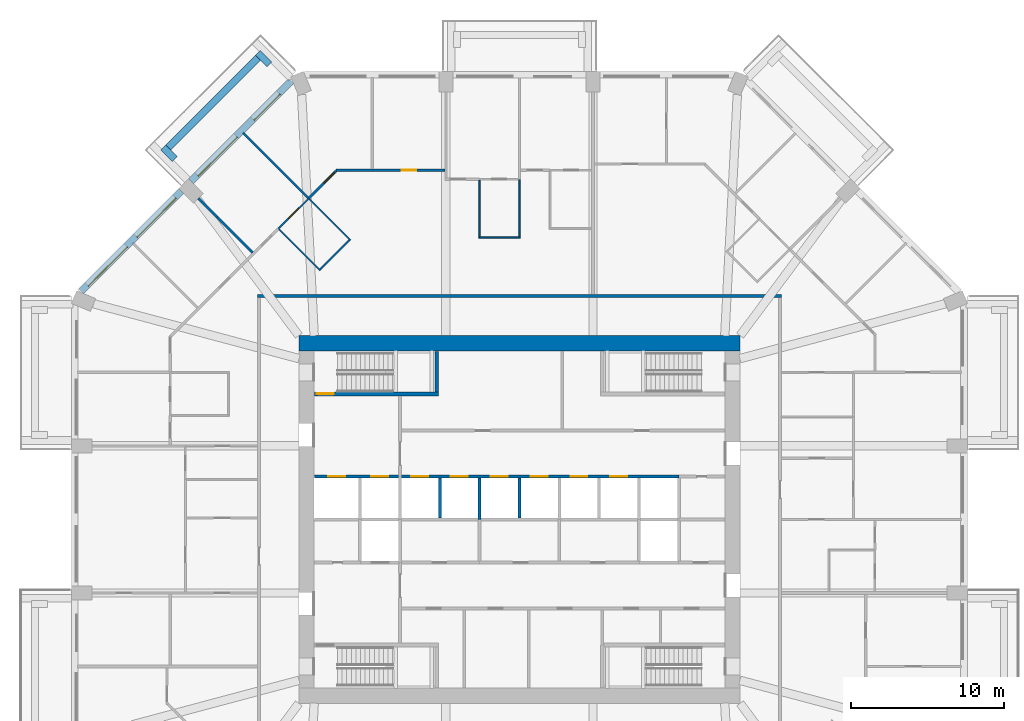
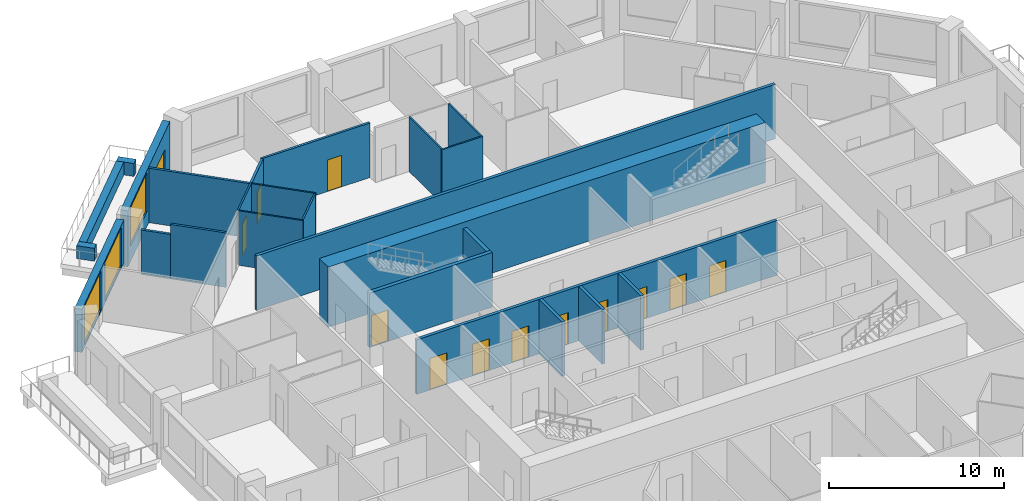
# One storey, part 8 of 13: 25 walls, 13 doors, 3 windows, 16 openings.
"""IFC4 building model written with IfcOpenShell, lengths in metres."""

from ifc_helpers import new_model, si_unit, direction, frame, frame_2d, origin, place, context, subcontext, project, spatial, rectangle, extrude, material, layer, layer_set, type_object, element, fill, save


model = new_model("IFC4")

# Units and contexts
model_context = context("Model", 3, precision=1e-05, world=origin(), true_north=direction((0.0, 1.0)))
body_context = subcontext(model_context, "Body", "Model", "MODEL_VIEW")
ifc_project = project(units=[si_unit("LENGTHUNIT", "METRE"), si_unit("AREAUNIT", "SQUARE_METRE"), si_unit("VOLUMEUNIT", "CUBIC_METRE"), si_unit("PLANEANGLEUNIT", "RADIAN"), si_unit("MASSUNIT", "GRAM", prefix="KILO")], contexts=[model_context])

# Site, building, storey
site_placement = place(None, origin())
site = spatial("IfcSite", under=ifc_project, at=site_placement, CompositionType="ELEMENT")
building_placement = place(site_placement, origin())
building = spatial("IfcBuilding", under=site, at=building_placement, Name="Msitu Wima Residences", CompositionType="ELEMENT")
storey_placement = place(building_placement, frame((0.0, 0.0, 92.699951171875)))
storey = spatial("IfcBuildingStorey", under=building, at=storey_placement, Name="L21", CompositionType="ELEMENT", Elevation=92.699951171875)

# Walls
ifc_material_1 = material(Name="Facing brick")
ifc_layer_1 = layer(ifc_material_1, 0.06494140625, Name="Facing brick")
ifc_material_2 = material(Name="Concrete C40/50", Category="concrete")
ifc_layer_2 = layer(ifc_material_2, 0.156005859375, Name="Concrete C40/50")
ifc_material_3 = material(Name="Waterproofing membrane")
ifc_layer_3 = layer(ifc_material_3, 0.00390625, Name="Waterproofing membrane")
ifc_material_4 = material(Name="Planting soil and planting")
ifc_layer_4 = layer(ifc_material_4, 0.22509765625, Name="Planting soil and planting")
ifc_layer_set_1 = layer_set([ifc_layer_1, ifc_layer_2, ifc_layer_3, ifc_layer_4], Name="Concrete C40/50")
wall_type_1 = type_object("IfcWallType", Name="Balcony planter PLANTER PL450", PredefinedType="USERDEFINED", material=ifc_layer_set_1)
wall_1_placement = place(storey_placement, frame((-17.0693359375, 30.125732421875, 0.0), z_axis=(0.0, 0.0, 1.0), x_axis=(-0.707106781187, -0.707106781187, 0.0)))
element("IfcWall", 1, at=wall_1_placement, inside=storey, type_object=wall_type_1, Name="Balcony planter NW0 L21", ObjectType="PLANTER", PredefinedType="USERDEFINED", context=body_context, shape_type="SweptSolid", body=[
    extrude(rectangle(XDim=8.2822265625, YDim=0.449951171875, at=frame_2d((4.14111328125, 0.0))), origin(), (0.0, 0.0, 1.0), 0.900146484375),
])
for number, where, z_axis, x_axis, name in (
    (2, (-16.326904296875, 29.70166015625, 0.0), (0.0, 0.0, 1.0), (-0.707106781187, 0.707106781187, 0.0), "Balcony planter NW0 L21"),
    (3, (-22.50146484375, 23.52685546875, 0.0), (0.0, 0.0, 1.0), (-0.707223014731, 0.706990528533, 0.0), "Balcony planter NW0 L21"),
):
    element("IfcWall", number, at=place(storey_placement, frame(where, z_axis=z_axis, x_axis=x_axis)), inside=storey, type_object=wall_type_1, Name=name, ObjectType="PLANTER", PredefinedType="USERDEFINED", context=body_context, shape_type="SweptSolid", body=[
        extrude(rectangle(XDim=1.050048828125, YDim=0.449951171875, at=frame_2d((0.52490234375, 0.0))), origin(), (0.0, 0.0, 1.0), 0.900146484375),
    ])

# Wall, openings, door, window
ifc_material_5 = material(Name="Brick (red buff mix)", Category="masonry")
ifc_layer_5 = layer(ifc_material_5, 0.449951171875)
ifc_layer_set_2 = layer_set([ifc_layer_5], Name="Brick (red buff mix)")
wall_type_2 = type_object("IfcWallType", Name="Brick infill wall BW450", PredefinedType="SOLIDWALL", material=ifc_layer_set_2)
wall_2_placement = place(storey_placement, frame((-14.903564453125, 28.61474609375, 0.0), z_axis=(0.0, 0.0, 1.0), x_axis=(-0.707106781187, -0.707106781187, 0.0)))
wall_2 = element("IfcWall", 4, at=wall_2_placement, inside=storey, type_object=wall_type_2, Name="Brick infill wall L21 NW0", PredefinedType="SOLIDWALL", context=body_context, shape_type="SweptSolid", body=[
    extrude(rectangle(XDim=9.2451171875, YDim=0.449951171875, at=frame_2d((4.62255859375, 0.0))), origin(), (0.0, 0.0, 1.0), 3.900146484375),
])
opening_1_placement = place(wall_2_placement, frame((1.111328125, 0.0, 0.0)))
opening_1 = element("IfcOpeningElement", 5, at=opening_1_placement, cuts=wall_2, Name="Opening D21.005", PredefinedType="OPENING", context=body_context, shape_type="SweptSolid", body=[
    extrude(rectangle(XDim=2.39990234375, YDim=2.699951171875, at=frame_2d((1.199951171875, 1.35009765625))), frame((0.0, 0.23486328125, 0.0), z_axis=(0.0, -1.0, 0.0), x_axis=(1.0, 0.0, 0.0)), (0.0, 0.0, 1.0), 0.469970703125),
])
opening_2_placement = place(wall_2_placement, frame((5.072509765625, 0.0, 1.050048828125)))
opening_2 = element("IfcOpeningElement", 6, at=opening_2_placement, cuts=wall_2, Name="Opening W21.013", PredefinedType="OPENING", context=body_context, shape_type="SweptSolid", body=[
    extrude(rectangle(XDim=3.60009765625, YDim=2.699951171875, at=frame_2d((1.800048828125, 1.35009765625))), frame((0.0, 0.23486328125, 0.0), z_axis=(0.0, -1.0, 0.0), x_axis=(1.0, 0.0, 0.0)), (0.0, 0.0, 1.0), 0.469970703125),
])
ifc_material_6 = material(Name="Anodised aluminium, bronze finish, clear low-emissivity double glazing", Category="aluminium")
door_type_1 = type_object("IfcDoorType", Name="Balcony door D2400x2700", OperationType="SLIDING_TO_LEFT", PredefinedType="DOOR", material=ifc_material_6)
door_1_placement = place(opening_1_placement, origin())
door_1 = element("IfcDoor", 7, at=door_1_placement, inside=storey, type_object=door_type_1, Name="Balcony door L21 NW0", OperationType="SINGLE_SWING_LEFT", OverallHeight=2.699951171875, OverallWidth=2.39990234375, PredefinedType="DOOR", context=body_context, shape_type="SweptSolid", body=[
    extrude(rectangle(XDim=2.39990234375, YDim=2.699951171875, at=frame_2d((1.199951171875, 1.35009765625))), frame((0.0, 0.1298828125, 0.0), z_axis=(0.0, -1.0, 0.0), x_axis=(1.0, 0.0, 0.0)), (0.0, 0.0, 1.0), 0.050048828125),
])
fill(opening_1, door_1)
window_type = type_object("IfcWindowType", Name="Window W3600x2700", PartitioningType="DOUBLE_PANEL_VERTICAL", PredefinedType="WINDOW", material=ifc_material_6)
window_1_placement = place(opening_2_placement, origin())
window_1 = element("IfcWindow", 8, at=window_1_placement, inside=storey, type_object=window_type, Name="Window L21 NW0.2", OverallHeight=2.699951171875, OverallWidth=3.60009765625, PartitioningType="SINGLE_PANEL", PredefinedType="WINDOW", context=body_context, shape_type="SweptSolid", body=[
    extrude(rectangle(XDim=3.60009765625, YDim=2.699951171875, at=frame_2d((1.800048828125, 1.35009765625))), frame((0.0, 0.135009765625, 0.0), z_axis=(0.0, -1.0, 0.0), x_axis=(1.0, 0.0, 0.0)), (0.0, 0.0, 1.0), 0.06005859375),
])
fill(opening_2, window_1)

# Wall, openings, windows
wall_3_placement = place(storey_placement, frame((-22.077392578125, 21.44091796875, 0.900146484375), z_axis=(0.0, 0.0, 1.0), x_axis=(-0.707106781187, -0.707106781187, 0.0)))
wall_3 = element("IfcWall", 9, at=wall_3_placement, inside=storey, type_object=wall_type_2, Name="Brick infill wall L21 NW1", PredefinedType="SOLIDWALL", context=body_context, shape_type="SweptSolid", body=[
    extrude(rectangle(XDim=9.2451171875, YDim=0.449951171875, at=frame_2d((4.62255859375, 0.0))), origin(), (0.0, 0.0, 1.0), 3.0),
])
opening_3_placement = place(wall_3_placement, frame((0.572509765625, 0.0, 0.14990234375)))
opening_3 = element("IfcOpeningElement", 10, at=opening_3_placement, cuts=wall_3, Name="Opening W21.014", PredefinedType="OPENING", context=body_context, shape_type="SweptSolid", body=[
    extrude(rectangle(XDim=3.60009765625, YDim=2.699951171875, at=frame_2d((1.800048828125, 1.35009765625))), frame((0.0, 0.23486328125, 0.0), z_axis=(0.0, -1.0, 0.0), x_axis=(1.0, 0.0, 0.0)), (0.0, 0.0, 1.0), 0.469970703125),
])
opening_4_placement = place(wall_3_placement, frame((5.072509765625, 0.0, 0.14990234375)))
opening_4 = element("IfcOpeningElement", 11, at=opening_4_placement, cuts=wall_3, Name="Opening W21.015", PredefinedType="OPENING", context=body_context, shape_type="SweptSolid", body=[
    extrude(rectangle(XDim=3.60009765625, YDim=2.699951171875, at=frame_2d((1.800048828125, 1.35009765625))), frame((0.0, 0.23486328125, 0.0), z_axis=(0.0, -1.0, 0.0), x_axis=(1.0, 0.0, 0.0)), (0.0, 0.0, 1.0), 0.469970703125),
])
window_2_placement = place(opening_3_placement, origin())
window_2 = element("IfcWindow", 12, at=window_2_placement, inside=storey, type_object=window_type, Name="Window L21 NW1.1", OverallHeight=2.699951171875, OverallWidth=3.60009765625, PartitioningType="SINGLE_PANEL", PredefinedType="WINDOW", context=body_context, shape_type="SweptSolid", body=[
    extrude(rectangle(XDim=3.60009765625, YDim=2.699951171875, at=frame_2d((1.800048828125, 1.35009765625))), frame((0.0, 0.135009765625, 0.0), z_axis=(0.0, -1.0, 0.0), x_axis=(1.0, 0.0, 0.0)), (0.0, 0.0, 1.0), 0.06005859375),
])
fill(opening_3, window_2)
window_3_placement = place(opening_4_placement, origin())
window_3 = element("IfcWindow", 13, at=window_3_placement, inside=storey, type_object=window_type, Name="Window L21 NW1.2", OverallHeight=2.699951171875, OverallWidth=3.60009765625, PartitioningType="SINGLE_PANEL", PredefinedType="WINDOW", context=body_context, shape_type="SweptSolid", body=[
    extrude(rectangle(XDim=3.60009765625, YDim=2.699951171875, at=frame_2d((1.800048828125, 1.35009765625))), frame((0.0, 0.135009765625, 0.0), z_axis=(0.0, -1.0, 0.0), x_axis=(1.0, 0.0, 0.0)), (0.0, 0.0, 1.0), 0.06005859375),
])
fill(opening_4, window_3)

# Walls
ifc_material_7 = material(Name="Concrete C80/95", Category="concrete")
ifc_layer_6 = layer(ifc_material_7, 1.0)
ifc_layer_set_3 = layer_set([ifc_layer_6], Name="Concrete C80/95")
wall_type_3 = type_object("IfcWallType", Name="Core wall CW1000 C80/95", PredefinedType="SHEAR", material=ifc_layer_set_3)
wall_4_placement = place(storey_placement, frame((-14.39990234375, 11.5, 0.0), z_axis=(0.0, 0.0, 1.0), x_axis=(1.0, 0.0, 0.0)))
element("IfcWall", 14, at=wall_4_placement, inside=storey, type_object=wall_type_3, Name="Core wall", PredefinedType="SHEAR", context=body_context, shape_type="SweptSolid", body=[
    extrude(rectangle(XDim=28.7998046875, YDim=1.0, at=frame_2d((14.39990234375, 0.0))), origin(), (0.0, 0.0, 1.0), 4.199951171875),
])
ifc_material_8 = material(Name="Plaster")
ifc_layer_7 = layer(ifc_material_8, 0.011962890625, Name="Plaster")
ifc_material_9 = material(Name="Concrete blockwork", Category="masonry")
ifc_layer_8 = layer(ifc_material_9, 0.176025390625, Name="Concrete blockwork")
ifc_layer_9 = layer(ifc_material_8, 0.011962890625, Name="Plaster")
ifc_layer_set_4 = layer_set([ifc_layer_7, ifc_layer_8, ifc_layer_9], Name="Concrete blockwork")
wall_type_4 = type_object("IfcWallType", Name="Corridor wall FW200", PredefinedType="PARTITIONING", material=ifc_layer_set_4)
wall_5_placement = place(storey_placement, frame((-17.10009765625, 14.60009765625, 0.0), z_axis=(0.0, 0.0, 1.0), x_axis=(1.0, 0.0, 0.0)))
element("IfcWall", 15, at=wall_5_placement, inside=storey, type_object=wall_type_4, Name="Corridor wall", PredefinedType="PARTITIONING", context=body_context, shape_type="SweptSolid", body=[
    extrude(rectangle(XDim=34.2001953125, YDim=0.199951171875, at=frame_2d((17.10009765625, 0.0))), origin(), (0.0, 0.0, 1.0), 3.798095703125),
])
ifc_layer_10 = layer(ifc_material_8, 0.011962890625, Name="Plaster")
ifc_layer_11 = layer(ifc_material_9, 0.1259765625, Name="Concrete blockwork")
ifc_layer_12 = layer(ifc_material_8, 0.011962890625, Name="Plaster")
ifc_layer_set_5 = layer_set([ifc_layer_10, ifc_layer_11, ifc_layer_12], Name="Concrete blockwork")
wall_type_5 = type_object("IfcWallType", Name="Partition PW150", PredefinedType="PARTITIONING", material=ifc_layer_set_5)
wall_6_placement = place(storey_placement, frame((-20.963623046875, 20.963623046875, 0.0), z_axis=(0.0, 0.0, 1.0), x_axis=(0.707106781187, -0.707106781187, 0.0)))
element("IfcWall", 16, at=wall_6_placement, inside=storey, type_object=wall_type_5, Name="Partition", PredefinedType="PARTITIONING", context=body_context, shape_type="SweptSolid", body=[
    extrude(rectangle(XDim=1.74853515625, YDim=0.14990234375, at=frame_2d((0.874267578125, 0.0))), origin(), (0.0, 0.0, 1.0), 3.10009765625),
])
wall_7_placement = place(storey_placement, frame((-19.727294921875, 19.727294921875, 0.0), z_axis=(0.0, 0.0, 1.0), x_axis=(0.707106781187, -0.707106781187, 0.0)))
element("IfcWall", 17, at=wall_7_placement, inside=storey, type_object=wall_type_5, Name="Partition", PredefinedType="PARTITIONING", context=body_context, shape_type="SweptSolid", body=[
    extrude(rectangle(XDim=3.276611328125, YDim=0.14990234375, at=frame_2d((1.63818359375, 0.0))), origin(), (0.0, 0.0, 1.0), 3.798095703125),
])
wall_8_placement = place(storey_placement, frame((-18.038818359375, 25.23876953125, 0.0), z_axis=(0.0, 0.0, 1.0), x_axis=(0.707106781187, -0.707106781187, 0.0)))
element("IfcWall", 18, at=wall_8_placement, inside=storey, type_object=wall_type_5, Name="Partition", PredefinedType="PARTITIONING", context=body_context, shape_type="SweptSolid", body=[
    extrude(rectangle(XDim=6.074951171875, YDim=0.14990234375, at=frame_2d((3.03759765625, 0.0))), origin(), (0.0, 0.0, 1.0), 3.798095703125),
])

# Wall, opening, door
wall_9_placement = place(storey_placement, frame((-13.7431640625, 20.971435546875, 0.0), z_axis=(0.0, 0.0, 1.0), x_axis=(0.707058164405, 0.707155394626, 0.0)))
wall_9 = element("IfcWall", 19, at=wall_9_placement, inside=storey, type_object=wall_type_5, Name="Partition", PredefinedType="PARTITIONING", context=body_context, shape_type="SweptSolid", body=[
    extrude(rectangle(XDim=2.510986328125, YDim=0.14990234375, at=frame_2d((1.25537109375, 0.0))), origin(), (0.0, 0.0, 1.0), 3.798095703125),
])
opening_5_placement = place(wall_9_placement, frame((1.39990234375, 0.0, 0.0)))
opening_5 = element("IfcOpeningElement", 20, at=opening_5_placement, cuts=wall_9, Name="Opening D21.063", PredefinedType="OPENING", context=body_context, shape_type="SweptSolid", body=[
    extrude(rectangle(XDim=0.949951171875, YDim=2.199951171875, at=frame_2d((0.47509765625, 1.10009765625))), frame((0.0, 0.0849609375, 0.0), z_axis=(0.0, -1.0, 0.0), x_axis=(1.0, 0.0, 0.0)), (0.0, 0.0, 1.0), 0.169921875),
])
ifc_material_10 = material(Name="Timber flush door", Category="wood")
door_type_2 = type_object("IfcDoorType", Name="Room door D12 950x2200", OperationType="SINGLE_SWING_LEFT", PredefinedType="DOOR", material=ifc_material_10)
door_2_placement = place(opening_5_placement, origin())
door_2 = element("IfcDoor", 21, at=door_2_placement, inside=storey, type_object=door_type_2, Name="Room door", OperationType="SINGLE_SWING_LEFT", OverallHeight=2.199951171875, OverallWidth=0.949951171875, PredefinedType="DOOR", context=body_context, shape_type="SweptSolid", body=[
    extrude(rectangle(XDim=0.949951171875, YDim=2.199951171875, at=frame_2d((0.47509765625, 1.10009765625))), frame((0.0, 0.02490234375, 0.0), z_axis=(0.0, -1.0, 0.0), x_axis=(1.0, 0.0, 0.0)), (0.0, 0.0, 1.0), 0.050048828125),
])
fill(opening_5, door_2)

wall_10_placement = place(storey_placement, frame((-11.98974609375, 22.800048828125, 0.0), z_axis=(0.0, 0.0, 1.0), x_axis=(1.0, 0.0, 0.0)))
wall_10 = element("IfcWall", 22, at=wall_10_placement, inside=storey, type_object=wall_type_5, Name="Partition", PredefinedType="PARTITIONING", context=body_context, shape_type="SweptSolid", body=[
    extrude(rectangle(XDim=7.11474609375, YDim=0.14990234375, at=frame_2d((3.557373046875, 0.0))), origin(), (0.0, 0.0, 1.0), 3.798095703125),
])
opening_6_placement = place(wall_10_placement, frame((4.300048828125, 0.0, 0.0)))
opening_6 = element("IfcOpeningElement", 23, at=opening_6_placement, cuts=wall_10, Name="Opening D21.052", PredefinedType="OPENING", context=body_context, shape_type="SweptSolid", body=[
    extrude(rectangle(XDim=0.949951171875, YDim=2.199951171875, at=frame_2d((0.47509765625, 1.10009765625))), frame((0.0, 0.0849609375, 0.0), z_axis=(0.0, -1.0, 0.0), x_axis=(1.0, 0.0, 0.0)), (0.0, 0.0, 1.0), 0.169921875),
])
door_3_placement = place(opening_6_placement, origin())
door_3 = element("IfcDoor", 24, at=door_3_placement, inside=storey, type_object=door_type_2, Name="Room door", OperationType="SINGLE_SWING_LEFT", OverallHeight=2.199951171875, OverallWidth=0.949951171875, PredefinedType="DOOR", context=body_context, shape_type="SweptSolid", body=[
    extrude(rectangle(XDim=0.949951171875, YDim=2.199951171875, at=frame_2d((0.47509765625, 1.10009765625))), frame((0.0, 0.02490234375, 0.0), z_axis=(0.0, -1.0, 0.0), x_axis=(1.0, 0.0, 0.0)), (0.0, 0.0, 1.0), 0.050048828125),
])
fill(opening_6, door_3)

# Wall, openings, doors
ifc_material_11 = material(Name="Fire-rated board")
ifc_layer_13 = layer(ifc_material_11, 0.02490234375, Name="Fire-rated board")
ifc_material_12 = material(Name="Light-gauge stud framing with mineral wool")
ifc_layer_14 = layer(ifc_material_12, 0.14990234375, Name="Light-gauge stud framing with mineral wool")
ifc_layer_15 = layer(ifc_material_11, 0.02490234375, Name="Fire-rated board")
ifc_layer_set_6 = layer_set([ifc_layer_13, ifc_layer_14, ifc_layer_15], Name="Light-gauge stud framing with mineral wool")
wall_type_6 = type_object("IfcWallType", Name="Shaft wall SH200", PredefinedType="PARTITIONING", material=ifc_layer_set_6)
wall_11_placement = place(storey_placement, frame((-13.3701171875, 2.800048828125, 0.0), z_axis=(0.0, 0.0, 1.0), x_axis=(1.0, 0.0, 0.0)))
wall_11 = element("IfcWall", 25, at=wall_11_placement, inside=storey, type_object=wall_type_6, Name="Shaft wall", PredefinedType="PARTITIONING", context=body_context, shape_type="SweptSolid", body=[
    extrude(rectangle(XDim=23.77001953125, YDim=0.199951171875, at=frame_2d((11.885009765625, 0.0))), origin(), (0.0, 0.0, 1.0), 3.798095703125),
])
opening_7_placement = place(wall_11_placement, frame((0.89990234375, 0.0, 0.0)))
opening_7 = element("IfcOpeningElement", 26, at=opening_7_placement, cuts=wall_11, Name="Opening LD", PredefinedType="OPENING", context=body_context, shape_type="SweptSolid", body=[
    extrude(rectangle(XDim=1.10009765625, YDim=2.199951171875, at=frame_2d((0.550048828125, 1.10009765625))), frame((0.0, 0.10986328125, 0.0), z_axis=(0.0, -1.0, 0.0), x_axis=(1.0, 0.0, 0.0)), (0.0, 0.0, 1.0), 0.219970703125),
])
opening_8_placement = place(wall_11_placement, frame((3.699951171875, 0.0, 0.0)))
opening_8 = element("IfcOpeningElement", 27, at=opening_8_placement, cuts=wall_11, Name="Opening LD", PredefinedType="OPENING", context=body_context, shape_type="SweptSolid", body=[
    extrude(rectangle(XDim=1.10009765625, YDim=2.199951171875, at=frame_2d((0.550048828125, 1.10009765625))), frame((0.0, 0.10986328125, 0.0), z_axis=(0.0, -1.0, 0.0), x_axis=(1.0, 0.0, 0.0)), (0.0, 0.0, 1.0), 0.219970703125),
])
opening_9_placement = place(wall_11_placement, frame((6.300048828125, 0.0, 0.0)))
opening_9 = element("IfcOpeningElement", 28, at=opening_9_placement, cuts=wall_11, Name="Opening LD", PredefinedType="OPENING", context=body_context, shape_type="SweptSolid", body=[
    extrude(rectangle(XDim=1.10009765625, YDim=2.199951171875, at=frame_2d((0.550048828125, 1.10009765625))), frame((0.0, 0.10986328125, 0.0), z_axis=(0.0, -1.0, 0.0), x_axis=(1.0, 0.0, 0.0)), (0.0, 0.0, 1.0), 0.219970703125),
])
opening_10_placement = place(wall_11_placement, frame((8.89990234375, 0.0, 0.0)))
opening_10 = element("IfcOpeningElement", 29, at=opening_10_placement, cuts=wall_11, Name="Opening LD", PredefinedType="OPENING", context=body_context, shape_type="SweptSolid", body=[
    extrude(rectangle(XDim=1.10009765625, YDim=2.199951171875, at=frame_2d((0.550048828125, 1.10009765625))), frame((0.0, 0.10986328125, 0.0), z_axis=(0.0, -1.0, 0.0), x_axis=(1.0, 0.0, 0.0)), (0.0, 0.0, 1.0), 0.219970703125),
])
opening_11_placement = place(wall_11_placement, frame((11.5, 0.0, 0.0)))
opening_11 = element("IfcOpeningElement", 30, at=opening_11_placement, cuts=wall_11, Name="Opening LD", PredefinedType="OPENING", context=body_context, shape_type="SweptSolid", body=[
    extrude(rectangle(XDim=1.10009765625, YDim=2.199951171875, at=frame_2d((0.550048828125, 1.10009765625))), frame((0.0, 0.10986328125, 0.0), z_axis=(0.0, -1.0, 0.0), x_axis=(1.0, 0.0, 0.0)), (0.0, 0.0, 1.0), 0.219970703125),
])
opening_12_placement = place(wall_11_placement, frame((14.10009765625, 0.0, 0.0)))
opening_12 = element("IfcOpeningElement", 31, at=opening_12_placement, cuts=wall_11, Name="Opening LD", PredefinedType="OPENING", context=body_context, shape_type="SweptSolid", body=[
    extrude(rectangle(XDim=1.10009765625, YDim=2.199951171875, at=frame_2d((0.550048828125, 1.10009765625))), frame((0.0, 0.10986328125, 0.0), z_axis=(0.0, -1.0, 0.0), x_axis=(1.0, 0.0, 0.0)), (0.0, 0.0, 1.0), 0.219970703125),
])
opening_13_placement = place(wall_11_placement, frame((16.699951171875, 0.0, 0.0)))
opening_13 = element("IfcOpeningElement", 32, at=opening_13_placement, cuts=wall_11, Name="Opening LD", PredefinedType="OPENING", context=body_context, shape_type="SweptSolid", body=[
    extrude(rectangle(XDim=1.10009765625, YDim=2.199951171875, at=frame_2d((0.550048828125, 1.10009765625))), frame((0.0, 0.10986328125, 0.0), z_axis=(0.0, -1.0, 0.0), x_axis=(1.0, 0.0, 0.0)), (0.0, 0.0, 1.0), 0.219970703125),
])
opening_14_placement = place(wall_11_placement, frame((19.300048828125, 0.0, 0.0)))
opening_14 = element("IfcOpeningElement", 33, at=opening_14_placement, cuts=wall_11, Name="Opening LD", PredefinedType="OPENING", context=body_context, shape_type="SweptSolid", body=[
    extrude(rectangle(XDim=1.10009765625, YDim=2.199951171875, at=frame_2d((0.550048828125, 1.10009765625))), frame((0.0, 0.10986328125, 0.0), z_axis=(0.0, -1.0, 0.0), x_axis=(1.0, 0.0, 0.0)), (0.0, 0.0, 1.0), 0.219970703125),
])
ifc_material_13 = material(Name="Stainless steel centre-opening landing door, rated", Category="steel")
door_type_3 = type_object("IfcDoorType", Name="Lift landing door LD 1100x2200", OperationType="DOUBLE_DOOR_SLIDING", PredefinedType="DOOR", material=ifc_material_13)
door_4_placement = place(opening_7_placement, origin())
door_4 = element("IfcDoor", 34, at=door_4_placement, inside=storey, type_object=door_type_3, Name="Lift landing door LD1", OperationType="DOUBLE_DOOR_SLIDING", OverallHeight=2.199951171875, OverallWidth=1.10009765625, PredefinedType="DOOR", context=body_context, shape_type="SweptSolid", body=[
    extrude(rectangle(XDim=1.10009765625, YDim=2.199951171875, at=frame_2d((0.550048828125, 1.10009765625))), frame((0.0, 0.02490234375, 0.0), z_axis=(0.0, -1.0, 0.0), x_axis=(1.0, 0.0, 0.0)), (0.0, 0.0, 1.0), 0.050048828125),
])
fill(opening_7, door_4)
door_5_placement = place(opening_8_placement, origin())
door_5 = element("IfcDoor", 35, at=door_5_placement, inside=storey, type_object=door_type_3, Name="Lift landing door LD2", OperationType="DOUBLE_DOOR_SLIDING", OverallHeight=2.199951171875, OverallWidth=1.10009765625, PredefinedType="DOOR", context=body_context, shape_type="SweptSolid", body=[
    extrude(rectangle(XDim=1.10009765625, YDim=2.199951171875, at=frame_2d((0.550048828125, 1.10009765625))), frame((0.0, 0.02490234375, 0.0), z_axis=(0.0, -1.0, 0.0), x_axis=(1.0, 0.0, 0.0)), (0.0, 0.0, 1.0), 0.050048828125),
])
fill(opening_8, door_5)
door_6_placement = place(opening_9_placement, origin())
door_6 = element("IfcDoor", 36, at=door_6_placement, inside=storey, type_object=door_type_3, Name="Lift landing door LD4", OperationType="DOUBLE_DOOR_SLIDING", OverallHeight=2.199951171875, OverallWidth=1.10009765625, PredefinedType="DOOR", context=body_context, shape_type="SweptSolid", body=[
    extrude(rectangle(XDim=1.10009765625, YDim=2.199951171875, at=frame_2d((0.550048828125, 1.10009765625))), frame((0.0, 0.02490234375, 0.0), z_axis=(0.0, -1.0, 0.0), x_axis=(1.0, 0.0, 0.0)), (0.0, 0.0, 1.0), 0.050048828125),
])
fill(opening_9, door_6)
door_7_placement = place(opening_10_placement, origin())
door_7 = element("IfcDoor", 37, at=door_7_placement, inside=storey, type_object=door_type_3, Name="Lift landing door LD6", OperationType="DOUBLE_DOOR_SLIDING", OverallHeight=2.199951171875, OverallWidth=1.10009765625, PredefinedType="DOOR", context=body_context, shape_type="SweptSolid", body=[
    extrude(rectangle(XDim=1.10009765625, YDim=2.199951171875, at=frame_2d((0.550048828125, 1.10009765625))), frame((0.0, 0.02490234375, 0.0), z_axis=(0.0, -1.0, 0.0), x_axis=(1.0, 0.0, 0.0)), (0.0, 0.0, 1.0), 0.050048828125),
])
fill(opening_10, door_7)
door_8_placement = place(opening_11_placement, origin())
door_8 = element("IfcDoor", 38, at=door_8_placement, inside=storey, type_object=door_type_3, Name="Lift landing door LD8", OperationType="DOUBLE_DOOR_SLIDING", OverallHeight=2.199951171875, OverallWidth=1.10009765625, PredefinedType="DOOR", context=body_context, shape_type="SweptSolid", body=[
    extrude(rectangle(XDim=1.10009765625, YDim=2.199951171875, at=frame_2d((0.550048828125, 1.10009765625))), frame((0.0, 0.02490234375, 0.0), z_axis=(0.0, -1.0, 0.0), x_axis=(1.0, 0.0, 0.0)), (0.0, 0.0, 1.0), 0.050048828125),
])
fill(opening_11, door_8)
door_9_placement = place(opening_12_placement, origin())
door_9 = element("IfcDoor", 39, at=door_9_placement, inside=storey, type_object=door_type_3, Name="Lift landing door LD10", OperationType="DOUBLE_DOOR_SLIDING", OverallHeight=2.199951171875, OverallWidth=1.10009765625, PredefinedType="DOOR", context=body_context, shape_type="SweptSolid", body=[
    extrude(rectangle(XDim=1.10009765625, YDim=2.199951171875, at=frame_2d((0.550048828125, 1.10009765625))), frame((0.0, 0.02490234375, 0.0), z_axis=(0.0, -1.0, 0.0), x_axis=(1.0, 0.0, 0.0)), (0.0, 0.0, 1.0), 0.050048828125),
])
fill(opening_12, door_9)
door_10_placement = place(opening_13_placement, origin())
door_10 = element("IfcDoor", 40, at=door_10_placement, inside=storey, type_object=door_type_3, Name="Lift landing door LD12", OperationType="DOUBLE_DOOR_SLIDING", OverallHeight=2.199951171875, OverallWidth=1.10009765625, PredefinedType="DOOR", context=body_context, shape_type="SweptSolid", body=[
    extrude(rectangle(XDim=1.10009765625, YDim=2.199951171875, at=frame_2d((0.550048828125, 1.10009765625))), frame((0.0, 0.02490234375, 0.0), z_axis=(0.0, -1.0, 0.0), x_axis=(1.0, 0.0, 0.0)), (0.0, 0.0, 1.0), 0.050048828125),
])
fill(opening_13, door_10)
door_11_placement = place(opening_14_placement, origin())
door_11 = element("IfcDoor", 41, at=door_11_placement, inside=storey, type_object=door_type_3, Name="Lift landing door LD14", OperationType="DOUBLE_DOOR_SLIDING", OverallHeight=2.199951171875, OverallWidth=1.10009765625, PredefinedType="DOOR", context=body_context, shape_type="SweptSolid", body=[
    extrude(rectangle(XDim=1.10009765625, YDim=2.199951171875, at=frame_2d((0.550048828125, 1.10009765625))), frame((0.0, 0.02490234375, 0.0), z_axis=(0.0, -1.0, 0.0), x_axis=(1.0, 0.0, 0.0)), (0.0, 0.0, 1.0), 0.050048828125),
])
fill(opening_14, door_11)

# Walls
wall_12_placement = place(storey_placement, frame((-5.199951171875, 0.10009765625, 0.0), z_axis=(0.0, 0.0, 1.0), x_axis=(0.0, 1.0, 0.0)))
element("IfcWall", 42, at=wall_12_placement, inside=storey, type_object=wall_type_6, Name="Shaft wall", PredefinedType="PARTITIONING", context=body_context, shape_type="SweptSolid", body=[
    extrude(rectangle(XDim=2.599853515625, YDim=0.199951171875, at=frame_2d((1.2998046875, 0.0))), origin(), (0.0, 0.0, 1.0), 3.798095703125),
])
wall_13_placement = place(storey_placement, frame((-2.60009765625, 0.0, 0.0), z_axis=(0.0, 0.0, 1.0), x_axis=(0.0, 1.0, 0.0)))
element("IfcWall", 43, at=wall_13_placement, inside=storey, type_object=wall_type_6, Name="Shaft wall", PredefinedType="PARTITIONING", context=body_context, shape_type="SweptSolid", body=[
    extrude(rectangle(XDim=2.699951171875, YDim=0.199951171875, at=frame_2d((1.35009765625, 0.0))), origin(), (0.0, 0.0, 1.0), 3.798095703125),
])
wall_14_placement = place(storey_placement, frame((0.0, 0.10009765625, 0.0), z_axis=(0.0, 0.0, 1.0), x_axis=(0.0, 1.0, 0.0)))
element("IfcWall", 44, at=wall_14_placement, inside=storey, type_object=wall_type_6, Name="Shaft wall", PredefinedType="PARTITIONING", context=body_context, shape_type="SweptSolid", body=[
    extrude(rectangle(XDim=2.599853515625, YDim=0.199951171875, at=frame_2d((1.2998046875, 0.0))), origin(), (0.0, 0.0, 1.0), 3.798095703125),
])

# Wall, opening, door
ifc_material_14 = material(Name="Concrete C50/60", Category="concrete")
ifc_layer_16 = layer(ifc_material_14, 0.25)
ifc_layer_set_7 = layer_set([ifc_layer_16], Name="Concrete C50/60")
wall_type_7 = type_object("IfcWallType", Name="Stair enclosure wall SW250", PredefinedType="SHEAR", material=ifc_layer_set_7)
wall_15_placement = place(storey_placement, frame((-13.3701171875, 8.199951171875, 0.0), z_axis=(0.0, 0.0, 1.0), x_axis=(1.0, 0.0, 0.0)))
wall_15 = element("IfcWall", 45, at=wall_15_placement, inside=storey, type_object=wall_type_7, Name="Stair enclosure wall", PredefinedType="SHEAR", context=body_context, shape_type="SweptSolid", body=[
    extrude(rectangle(XDim=8.09521484375, YDim=0.25, at=frame_2d((4.047607421875, 0.0))), origin(), (0.0, 0.0, 1.0), 3.798095703125),
])
opening_15_placement = place(wall_15_placement, frame((0.14990234375, 0.0, 0.0)))
opening_15 = element("IfcOpeningElement", 46, at=opening_15_placement, cuts=wall_15, Name="Opening D21.035", PredefinedType="OPENING", context=body_context, shape_type="SweptSolid", body=[
    extrude(rectangle(XDim=1.10009765625, YDim=2.199951171875, at=frame_2d((0.550048828125, 1.10009765625))), frame((0.0, 0.135009765625, 0.0), z_axis=(0.0, -1.0, 0.0), x_axis=(1.0, 0.0, 0.0)), (0.0, 0.0, 1.0), 0.27001953125),
])
ifc_material_15 = material(Name="Steel door, fire resisting, panic bar", Category="steel")
door_type_4 = type_object("IfcDoorType", Name="Stair door D06 1100x2200", OperationType="SINGLE_SWING_LEFT", PredefinedType="DOOR", material=ifc_material_15)
door_12_placement = place(opening_15_placement, origin())
door_12 = element("IfcDoor", 47, at=door_12_placement, inside=storey, type_object=door_type_4, Name="Stair door", OperationType="SINGLE_SWING_LEFT", OverallHeight=2.199951171875, OverallWidth=1.10009765625, PredefinedType="DOOR", context=body_context, shape_type="SweptSolid", body=[
    extrude(rectangle(XDim=1.10009765625, YDim=2.199951171875, at=frame_2d((0.550048828125, 1.10009765625))), frame((0.0, 0.02490234375, 0.0), z_axis=(0.0, -1.0, 0.0), x_axis=(1.0, 0.0, 0.0)), (0.0, 0.0, 1.0), 0.050048828125),
])
fill(opening_15, door_12)

# Wall
wall_16_placement = place(storey_placement, frame((-5.39990234375, 8.324951171875, 0.0), z_axis=(0.0, 0.0, 1.0), x_axis=(0.0, 1.0, 0.0)))
element("IfcWall", 48, at=wall_16_placement, inside=storey, type_object=wall_type_7, Name="Stair enclosure wall", PredefinedType="SHEAR", context=body_context, shape_type="SweptSolid", body=[
    extrude(rectangle(XDim=2.64501953125, YDim=0.25, at=frame_2d((1.322509765625, 0.0))), origin(), (0.0, 0.0, 1.0), 3.798095703125),
])

# Wall, opening, door
ifc_material_16 = material(Name="Ceramic tiles")
ifc_layer_17 = layer(ifc_material_16, 0.008056640625, Name="Ceramic tiles")
ifc_material_17 = material(Name="Moisture-resistant board")
ifc_layer_18 = layer(ifc_material_17, 0.012451171875, Name="Moisture-resistant board")
ifc_layer_19 = layer(ifc_material_12, 0.06689453125, Name="Light-gauge stud framing with mineral wool")
ifc_layer_20 = layer(ifc_material_17, 0.012451171875, Name="Moisture-resistant board")
ifc_layer_set_8 = layer_set([ifc_layer_17, ifc_layer_18, ifc_layer_19, ifc_layer_20], Name="Light-gauge stud framing with mineral wool")
wall_type_8 = type_object("IfcWallType", Name="Wet wall PW100", PredefinedType="PARTITIONING", material=ifc_layer_set_8)
wall_17_placement = place(storey_placement, frame((-15.7373046875, 18.9775390625, 0.0), z_axis=(0.0, 0.0, 1.0), x_axis=(0.707150067696, 0.707063492027, 0.0)))
wall_17 = element("IfcWall", 49, at=wall_17_placement, inside=storey, type_object=wall_type_8, Name="Wet wall", PredefinedType="PARTITIONING", context=body_context, shape_type="SweptSolid", body=[
    extrude(rectangle(XDim=2.820068359375, YDim=0.10009765625, at=frame_2d((1.41015625, 0.0))), origin(), (0.0, 0.0, 1.0), 3.798095703125),
])
opening_16_placement = place(wall_17_placement, frame((0.949951171875, 0.0, 0.0)))
opening_16 = element("IfcOpeningElement", 50, at=opening_16_placement, cuts=wall_17, Name="Opening D21.055", PredefinedType="OPENING", context=body_context, shape_type="SweptSolid", body=[
    extrude(rectangle(XDim=0.89990234375, YDim=2.199951171875, at=frame_2d((0.449951171875, 1.10009765625))), frame((0.0, 0.06005859375, 0.0), z_axis=(0.0, -1.0, 0.0), x_axis=(1.0, 0.0, 0.0)), (0.0, 0.0, 1.0), 0.1201171875),
])
ifc_material_18 = material(Name="Timber flush door, moisture resistant", Category="wood")
door_type_5 = type_object("IfcDoorType", Name="Bathroom door D03 900x2200", OperationType="SINGLE_SWING_LEFT", PredefinedType="DOOR", material=ifc_material_18)
door_13_placement = place(opening_16_placement, origin())
door_13 = element("IfcDoor", 51, at=door_13_placement, inside=storey, type_object=door_type_5, Name="Bathroom door", OperationType="SINGLE_SWING_RIGHT", OverallHeight=2.199951171875, OverallWidth=0.89990234375, PredefinedType="DOOR", context=body_context, shape_type="SweptSolid", body=[
    extrude(rectangle(XDim=0.89990234375, YDim=2.199951171875, at=frame_2d((0.449951171875, 1.10009765625))), frame((0.0, 0.02490234375, 0.0), z_axis=(0.0, -1.0, 0.0), x_axis=(1.0, 0.0, 0.0)), (0.0, 0.0, 1.0), 0.050048828125),
])
fill(opening_16, door_13)

# Walls
wall_18_placement = place(storey_placement, frame((-15.701904296875, 18.942138671875, 0.0), z_axis=(0.0, 0.0, 1.0), x_axis=(0.707106781187, -0.707106781187, 0.0)))
element("IfcWall", 52, at=wall_18_placement, inside=storey, type_object=wall_type_8, Name="Wet wall", PredefinedType="PARTITIONING", context=body_context, shape_type="SweptSolid", body=[
    extrude(rectangle(XDim=3.800048828125, YDim=0.10009765625, at=frame_2d((1.89990234375, 0.0))), origin(), (0.0, 0.0, 1.0), 3.798095703125),
])
wall_19_placement = place(storey_placement, frame((-13.7431640625, 20.943115234375, 0.0), z_axis=(0.0, 0.0, 1.0), x_axis=(0.707138653661, -0.707074907275, 0.0)))
element("IfcWall", 53, at=wall_19_placement, inside=storey, type_object=wall_type_8, Name="Wet wall", PredefinedType="PARTITIONING", context=body_context, shape_type="SweptSolid", body=[
    extrude(rectangle(XDim=3.829833984375, YDim=0.10009765625, at=frame_2d((1.9150390625, 0.0))), origin(), (0.0, 0.0, 1.0), 3.798095703125),
])
wall_20_placement = place(storey_placement, frame((-13.014892578125, 16.325927734375, 0.0), z_axis=(0.0, 0.0, 1.0), x_axis=(0.707106781187, 0.707106781187, 0.0)))
element("IfcWall", 54, at=wall_20_placement, inside=storey, type_object=wall_type_8, Name="Wet wall", PredefinedType="PARTITIONING", context=body_context, shape_type="SweptSolid", body=[
    extrude(rectangle(XDim=2.699951171875, YDim=0.10009765625, at=frame_2d((1.35009765625, 0.0))), origin(), (0.0, 0.0, 1.0), 3.798095703125),
])
wall_21_placement = place(storey_placement, frame((-2.60009765625, 18.449951171875, 0.0), z_axis=(0.0, 0.0, 1.0), x_axis=(0.0, 1.0, 0.0)))
element("IfcWall", 55, at=wall_21_placement, inside=storey, type_object=wall_type_8, Name="Wet wall", PredefinedType="PARTITIONING", context=body_context, shape_type="SweptSolid", body=[
    extrude(rectangle(XDim=3.699951171875, YDim=0.10009765625, at=frame_2d((1.85009765625, 0.0))), origin(), (0.0, 0.0, 1.0), 3.798095703125),
])
wall_22_placement = place(storey_placement, frame((-2.64990234375, 18.39990234375, 0.0), z_axis=(0.0, 0.0, 1.0), x_axis=(1.0, 0.0, 0.0)))
element("IfcWall", 56, at=wall_22_placement, inside=storey, type_object=wall_type_8, Name="Wet wall", PredefinedType="PARTITIONING", context=body_context, shape_type="SweptSolid", body=[
    extrude(rectangle(XDim=2.699951171875, YDim=0.10009765625, at=frame_2d((1.35009765625, 0.0))), origin(), (0.0, 0.0, 1.0), 3.798095703125),
])
wall_23_placement = place(storey_placement, frame((0.0, 18.449951171875, 0.0), z_axis=(0.0, 0.0, 1.0), x_axis=(0.0, 1.0, 0.0)))
element("IfcWall", 57, at=wall_23_placement, inside=storey, type_object=wall_type_8, Name="Wet wall", PredefinedType="PARTITIONING", context=body_context, shape_type="SweptSolid", body=[
    extrude(rectangle(XDim=3.72998046875, YDim=0.10009765625, at=frame_2d((1.864990234375, 0.0))), origin(), (0.0, 0.0, 1.0), 3.798095703125),
])

save(model, "model.ifc")
